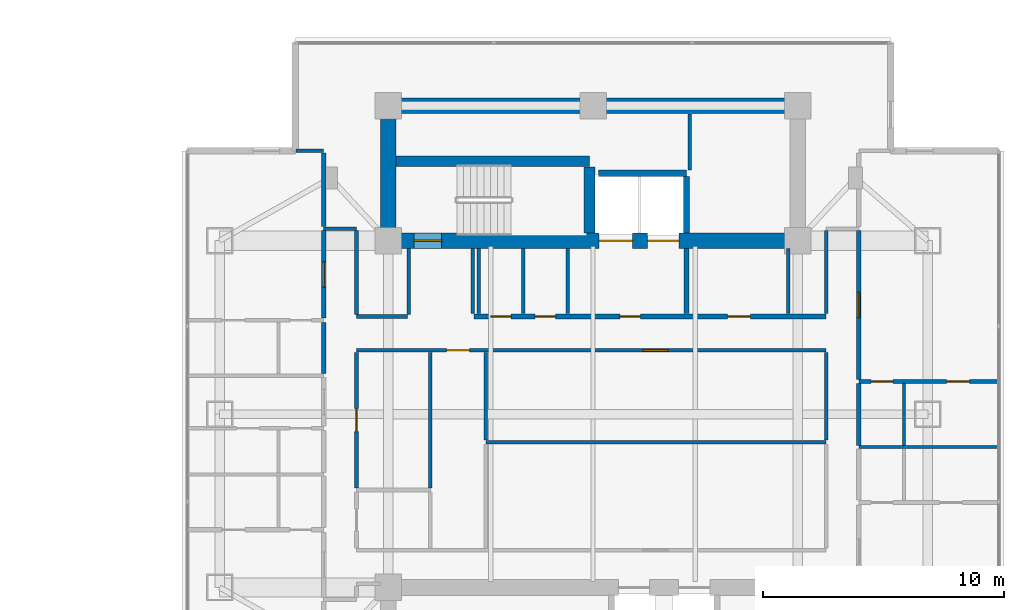
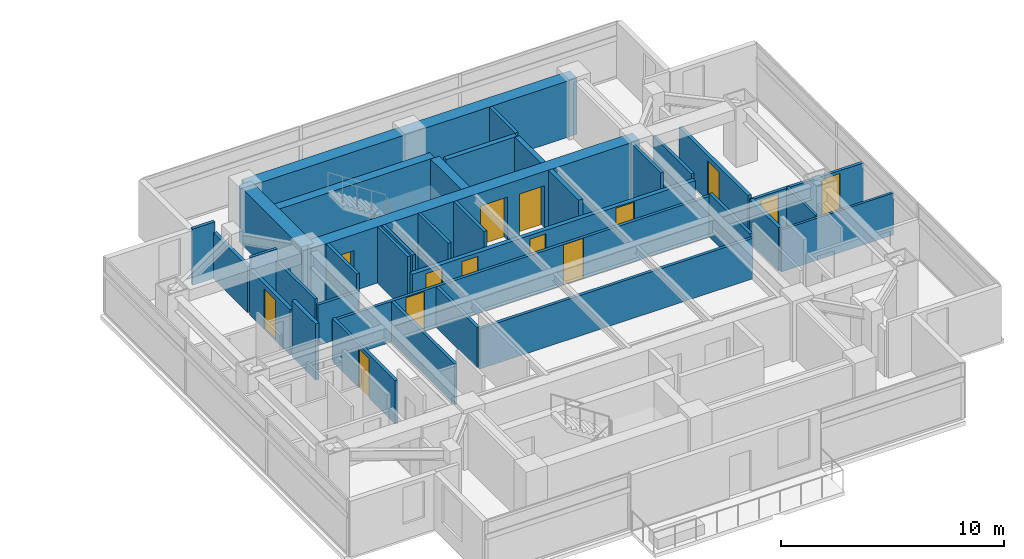
# One storey, part 18 of 24: 35 walls, 14 doors, 14 openings.
"""IFC4 building model written with IfcOpenShell, lengths in metres."""

from ifc_helpers import new_model, si_unit, direction, frame, frame_2d, origin, place, context, subcontext, project, spatial, rectangle, extrude, material, layer, layer_set, type_object, element, fill, save


model = new_model("IFC4")

# Units and contexts
model_context = context("Model", 3, precision=1e-05, world=origin(), true_north=direction((0.0, 1.0)))
body_context = subcontext(model_context, "Body", "Model", "MODEL_VIEW")
ifc_project = project(units=[si_unit("LENGTHUNIT", "METRE"), si_unit("AREAUNIT", "SQUARE_METRE"), si_unit("VOLUMEUNIT", "CUBIC_METRE"), si_unit("PLANEANGLEUNIT", "RADIAN"), si_unit("MASSUNIT", "GRAM", prefix="KILO")], contexts=[model_context])

# Site, building, storey
site_placement = place(None, origin())
site = spatial("IfcSite", under=ifc_project, at=site_placement, CompositionType="ELEMENT")
building_placement = place(site_placement, origin())
building = spatial("IfcBuilding", under=site, at=building_placement, Name="Mirazonda Arch Towers", CompositionType="ELEMENT")
storey_placement = place(building_placement, frame((0.0, 0.0, 118.10009765625)))
storey = spatial("IfcBuildingStorey", under=building, at=storey_placement, Name="L33", CompositionType="ELEMENT", Elevation=118.10009765625)

# Walls
ifc_material_1 = material(Name="Concrete C50/60", Category="concrete")
ifc_layer_1 = layer(ifc_material_1, 0.449951171875, Name="WALL-CORE-450")
ifc_layer_set_1 = layer_set([ifc_layer_1], Name="Concrete C50/60")
wall_type_1 = type_object("IfcWallType", Name="WALL-CORE-450", PredefinedType="SHEAR", material=ifc_layer_set_1)
wall_1_placement = place(storey_placement, frame((68.320068359375, 38.5, 0.0), z_axis=(0.0, 0.0, 1.0), x_axis=(1.0, 0.0, 0.0)))
element("IfcWall", 1, at=wall_1_placement, inside=storey, type_object=wall_type_1, Name="L33 Stair Core Shear Wall 055", PredefinedType="SHEAR", context=body_context, shape_type="SweptSolid", body=[
    extrude(rectangle(XDim=8.0400390625, YDim=0.449951171875, at=frame_2d((4.02001953125, 0.0))), origin(), (0.0, 0.0, 1.0), 3.079833984375),
])
wall_2_placement = place(storey_placement, frame((76.360107421875, 35.52001953125, 0.0), z_axis=(0.0, 0.0, 1.0), x_axis=(0.0, 1.0, 0.0)))
element("IfcWall", 2, at=wall_2_placement, inside=storey, type_object=wall_type_1, Name="L33 Stair Core Shear Wall 145", PredefinedType="SHEAR", context=body_context, shape_type="SweptSolid", body=[
    extrude(rectangle(XDim=2.744873046875, YDim=0.449951171875, at=frame_2d((1.37255859375, 0.0))), origin(), (0.0, 0.0, 1.0), 3.079833984375),
])
ifc_material_2 = material(Name="Concrete C60/75", Category="concrete")
ifc_layer_2 = layer(ifc_material_2, 0.64990234375, Name="WALL-CORE-650")
ifc_layer_set_2 = layer_set([ifc_layer_2], Name="Concrete C60/75")
wall_type_2 = type_object("IfcWallType", Name="WALL-CORE-650", PredefinedType="SHEAR", material=ifc_layer_set_2)
wall_3_placement = place(storey_placement, frame((68.0, 40.800048828125, 0.0), z_axis=(0.0, 0.0, 1.0), x_axis=(1.0, 0.0, 0.0)))
element("IfcWall", 3, at=wall_3_placement, inside=storey, type_object=wall_type_2, Name="L33 T2N-N Core Shear Wall", PredefinedType="SHEAR", context=body_context, shape_type="SweptSolid", body=[
    extrude(rectangle(XDim=17.0, YDim=0.64990234375, at=frame_2d((8.5, 0.0))), origin(), (0.0, 0.0, 1.0), 3.079833984375),
])
wall_4_placement = place(storey_placement, frame((68.0, 35.199951171875, 0.0), z_axis=(0.0, 0.0, 1.0), x_axis=(0.0, 1.0, 0.0)))
element("IfcWall", 4, at=wall_4_placement, inside=storey, type_object=wall_type_2, Name="L33 T2N-W Core Shear Wall", PredefinedType="SHEAR", context=body_context, shape_type="SweptSolid", body=[
    extrude(rectangle(XDim=5.60009765625, YDim=0.64990234375, at=frame_2d((2.800048828125, 0.0))), origin(), (0.0, 0.0, 1.0), 3.079833984375),
])

# Wall, openings, doors
wall_5_placement = place(storey_placement, frame((68.0, 35.199951171875, 0.0), z_axis=(0.0, 0.0, 1.0), x_axis=(1.0, 0.0, 0.0)))
wall_5 = element("IfcWall", 5, at=wall_5_placement, inside=storey, type_object=wall_type_2, Name="L33 T2N-S Core Shear Wall", PredefinedType="SHEAR", context=body_context, shape_type="SweptSolid", body=[
    extrude(rectangle(XDim=17.0, YDim=0.64990234375, at=frame_2d((8.5, 0.0))), origin(), (0.0, 0.0, 1.0), 3.079833984375),
])
opening_1_placement = place(wall_5_placement, frame((1.06005859375, 0.0, 0.0)))
opening_1 = element("IfcOpeningElement", 6, at=opening_1_placement, cuts=wall_5, Name="Opening DR-135", PredefinedType="OPENING", context=body_context, shape_type="SweptSolid", body=[
    extrude(rectangle(XDim=1.14990234375, YDim=2.199951171875, at=frame_2d((0.574951171875, 1.10009765625))), frame((0.0, 0.3349609375, 0.0), z_axis=(0.0, -1.0, 0.0), x_axis=(1.0, 0.0, 0.0)), (0.0, 0.0, 1.0), 0.669921875),
])
opening_2_placement = place(wall_5_placement, frame((8.75, 0.0, 0.0)))
opening_2 = element("IfcOpeningElement", 7, at=opening_2_placement, cuts=wall_5, Name="Opening LD-112", PredefinedType="OPENING", context=body_context, shape_type="SweptSolid", body=[
    extrude(rectangle(XDim=1.39990234375, YDim=2.35009765625, at=frame_2d((0.699951171875, 1.175048828125))), frame((0.0, 0.3349609375, 0.0), z_axis=(0.0, -1.0, 0.0), x_axis=(1.0, 0.0, 0.0)), (0.0, 0.0, 1.0), 0.669921875),
])
opening_3_placement = place(wall_5_placement, frame((10.77001953125, 0.0, 0.0)))
opening_3 = element("IfcOpeningElement", 8, at=opening_3_placement, cuts=wall_5, Name="Opening LD-111", PredefinedType="OPENING", context=body_context, shape_type="SweptSolid", body=[
    extrude(rectangle(XDim=1.300048828125, YDim=2.300048828125, at=frame_2d((0.64990234375, 1.14990234375))), frame((0.0, 0.3349609375, 0.0), z_axis=(0.0, -1.0, 0.0), x_axis=(1.0, 0.0, 0.0)), (0.0, 0.0, 1.0), 0.669921875),
])
ifc_material_3 = material(Name="Architectural Brushed Steel S355", Category="steel")
door_type_1 = type_object("IfcDoorType", Name="DOOR-LIFT-FFL-1400", OperationType="NOTDEFINED", PredefinedType="DOOR", material=ifc_material_3)
door_1_placement = place(opening_2_placement, origin())
door_1 = element("IfcDoor", 9, at=door_1_placement, inside=storey, type_object=door_type_1, Name="L33 Lift Landing Sliding Door FFL-T2", OperationType="DOUBLE_DOOR_SLIDING", OverallHeight=2.35009765625, OverallWidth=1.39990234375, PredefinedType="DOOR", context=body_context, shape_type="SweptSolid", body=[
    extrude(rectangle(XDim=1.39990234375, YDim=2.35009765625, at=frame_2d((0.699951171875, 1.175048828125))), frame((0.0, 0.02490234375, 0.0), z_axis=(0.0, -1.0, 0.0), x_axis=(1.0, 0.0, 0.0)), (0.0, 0.0, 1.0), 0.050048828125),
])
fill(opening_2, door_1)
door_type_2 = type_object("IfcDoorType", Name="DOOR-LIFT-LAND-1300", OperationType="NOTDEFINED", PredefinedType="DOOR", material=ifc_material_3)
door_2_placement = place(opening_3_placement, origin())
door_2 = element("IfcDoor", 10, at=door_2_placement, inside=storey, type_object=door_type_2, Name="L33 Lift Landing Sliding Door SVL-T2", OperationType="DOUBLE_DOOR_SLIDING", OverallHeight=2.300048828125, OverallWidth=1.300048828125, PredefinedType="DOOR", context=body_context, shape_type="SweptSolid", body=[
    extrude(rectangle(XDim=1.300048828125, YDim=2.300048828125, at=frame_2d((0.64990234375, 1.14990234375))), frame((0.0, 0.02490234375, 0.0), z_axis=(0.0, -1.0, 0.0), x_axis=(1.0, 0.0, 0.0)), (0.0, 0.0, 1.0), 0.050048828125),
])
fill(opening_3, door_2)
door_type_3 = type_object("IfcDoorType", Name="DOOR-STAIR-FD90-1150", OperationType="NOTDEFINED", PredefinedType="DOOR", material=ifc_material_3)
door_3_placement = place(opening_1_placement, origin())
door_3 = element("IfcDoor", 11, at=door_3_placement, inside=storey, type_object=door_type_3, Name="L33 East Protected Stair North Door", OperationType="SINGLE_SWING_RIGHT", OverallHeight=2.199951171875, OverallWidth=1.14990234375, PredefinedType="DOOR", context=body_context, shape_type="SweptSolid", body=[
    extrude(rectangle(XDim=1.14990234375, YDim=2.199951171875, at=frame_2d((0.574951171875, 1.10009765625))), frame((0.0, 0.02490234375, 0.0), z_axis=(0.0, -1.0, 0.0), x_axis=(1.0, 0.0, 0.0)), (0.0, 0.0, 1.0), 0.050048828125),
])
fill(opening_1, door_3)

ifc_material_4 = material(Name="Concrete C40/50", Category="concrete")
ifc_layer_3 = layer(ifc_material_4, 0.219970703125, Name="WALL-FFL-220")
ifc_layer_set_3 = layer_set([ifc_layer_3], Name="Concrete C40/50")
wall_type_3 = type_object("IfcWallType", Name="WALL-FFL-220", PredefinedType="SOLIDWALL", material=ifc_layer_set_3)
wall_6_placement = place(storey_placement, frame((71.550048828125, 32.050048828125, 0.0), z_axis=(0.0, 0.0, 1.0), x_axis=(1.0, 0.0, 0.0)))
wall_6 = element("IfcWall", 12, at=wall_6_placement, inside=storey, type_object=wall_type_3, Name="L33 Interior Partition 046", PredefinedType="SOLIDWALL", context=body_context, shape_type="SweptSolid", body=[
    extrude(rectangle(XDim=14.6298828125, YDim=0.219970703125, at=frame_2d((7.31494140625, 0.0))), origin(), (0.0, 0.0, 1.0), 2.2158203125),
])
opening_4_placement = place(wall_6_placement, frame((6.06494140625, 0.0, 0.0)))
opening_4 = element("IfcOpeningElement", 13, at=opening_4_placement, cuts=wall_6, Name="Opening DR-128", PredefinedType="OPENING", context=body_context, shape_type="SweptSolid", body=[
    extrude(rectangle(XDim=0.85009765625, YDim=2.010009765625, at=frame_2d((0.425048828125, 1.0048828125))), frame((0.0, 0.119873046875, 0.0), z_axis=(0.0, -1.0, 0.0), x_axis=(1.0, 0.0, 0.0)), (0.0, 0.0, 1.0), 0.239990234375),
])
opening_5_placement = place(wall_6_placement, frame((10.534912109375, 0.0, 0.0)))
opening_5 = element("IfcOpeningElement", 14, at=opening_5_placement, cuts=wall_6, Name="Opening DR-104", PredefinedType="OPENING", context=body_context, shape_type="SweptSolid", body=[
    extrude(rectangle(XDim=0.949951171875, YDim=2.14990234375, at=frame_2d((0.47509765625, 1.074951171875))), frame((0.0, 0.119873046875, 0.0), z_axis=(0.0, -1.0, 0.0), x_axis=(1.0, 0.0, 0.0)), (0.0, 0.0, 1.0), 0.239990234375),
])
opening_6_placement = place(wall_6_placement, frame((0.699951171875, 0.0, 0.0)))
opening_6 = element("IfcOpeningElement", 15, at=opening_6_placement, cuts=wall_6, Name="Opening DR-128", PredefinedType="OPENING", context=body_context, shape_type="SweptSolid", body=[
    extrude(rectangle(XDim=0.85009765625, YDim=2.010009765625, at=frame_2d((0.425048828125, 1.0048828125))), frame((0.0, 0.119873046875, 0.0), z_axis=(0.0, -1.0, 0.0), x_axis=(1.0, 0.0, 0.0)), (0.0, 0.0, 1.0), 0.239990234375),
])
opening_7_placement = place(wall_6_placement, frame((2.550048828125, 0.0, 0.0)))
opening_7 = element("IfcOpeningElement", 16, at=opening_7_placement, cuts=wall_6, Name="Opening DR-128", PredefinedType="OPENING", context=body_context, shape_type="SweptSolid", body=[
    extrude(rectangle(XDim=0.85009765625, YDim=2.010009765625, at=frame_2d((0.425048828125, 1.0048828125))), frame((0.0, 0.119873046875, 0.0), z_axis=(0.0, -1.0, 0.0), x_axis=(1.0, 0.0, 0.0)), (0.0, 0.0, 1.0), 0.239990234375),
])
door_type_4 = type_object("IfcDoorType", Name="DOOR-RISER-FD60-850", OperationType="NOTDEFINED", PredefinedType="DOOR", material=ifc_material_3)
door_4_placement = place(opening_4_placement, origin())
door_4 = element("IfcDoor", 17, at=door_4_placement, inside=storey, type_object=door_type_4, Name="L33 East Firefighting Lift Lobby Door", OperationType="SINGLE_SWING_LEFT", OverallHeight=2.010009765625, OverallWidth=0.85009765625, PredefinedType="DOOR", context=body_context, shape_type="SweptSolid", body=[
    extrude(rectangle(XDim=0.85009765625, YDim=2.010009765625, at=frame_2d((0.425048828125, 1.0048828125))), frame((0.0, 0.02490234375, 0.0), z_axis=(0.0, -1.0, 0.0), x_axis=(1.0, 0.0, 0.0)), (0.0, 0.0, 1.0), 0.050048828125),
])
fill(opening_4, door_4)
door_5_placement = place(opening_6_placement, origin())
door_5 = element("IfcDoor", 18, at=door_5_placement, inside=storey, type_object=door_type_4, Name="L33 Tower 2 Electrical Room Door", OperationType="SINGLE_SWING_LEFT", OverallHeight=2.010009765625, OverallWidth=0.85009765625, PredefinedType="DOOR", context=body_context, shape_type="SweptSolid", body=[
    extrude(rectangle(XDim=0.85009765625, YDim=2.010009765625, at=frame_2d((0.425048828125, 1.0048828125))), frame((0.0, 0.02490234375, 0.0), z_axis=(0.0, -1.0, 0.0), x_axis=(1.0, 0.0, 0.0)), (0.0, 0.0, 1.0), 0.050048828125),
])
fill(opening_6, door_5)
door_6_placement = place(opening_7_placement, origin())
door_6 = element("IfcDoor", 19, at=door_6_placement, inside=storey, type_object=door_type_4, Name="L33 Tower 2 Cleaners Store Door", OperationType="SINGLE_SWING_RIGHT", OverallHeight=2.010009765625, OverallWidth=0.85009765625, PredefinedType="DOOR", context=body_context, shape_type="SweptSolid", body=[
    extrude(rectangle(XDim=0.85009765625, YDim=2.010009765625, at=frame_2d((0.425048828125, 1.0048828125))), frame((0.0, 0.02490234375, 0.0), z_axis=(0.0, -1.0, 0.0), x_axis=(1.0, 0.0, 0.0)), (0.0, 0.0, 1.0), 0.050048828125),
])
fill(opening_7, door_6)
door_type_5 = type_object("IfcDoorType", Name="DOOR-ROOM-950", OperationType="NOTDEFINED", PredefinedType="DOOR", material=ifc_material_3)
door_7_placement = place(opening_5_placement, origin())
door_7 = element("IfcDoor", 20, at=door_7_placement, inside=storey, type_object=door_type_5, Name="L33 East Sky Reading Library Door", OperationType="SINGLE_SWING_RIGHT", OverallHeight=2.14990234375, OverallWidth=0.949951171875, PredefinedType="DOOR", context=body_context, shape_type="SweptSolid", body=[
    extrude(rectangle(XDim=0.949951171875, YDim=2.14990234375, at=frame_2d((0.47509765625, 1.074951171875))), frame((0.0, 0.02490234375, 0.0), z_axis=(0.0, -1.0, 0.0), x_axis=(1.0, 0.0, 0.0)), (0.0, 0.0, 1.0), 0.050048828125),
])
fill(opening_5, door_7)

# Walls
wall_7_placement = place(storey_placement, frame((80.3798828125, 32.169921875, 0.0), z_axis=(0.0, 0.0, 1.0), x_axis=(0.0, 1.0, 0.0)))
element("IfcWall", 21, at=wall_7_placement, inside=storey, type_object=wall_type_3, Name="L33 Interior Partition 147", PredefinedType="SOLIDWALL", context=body_context, shape_type="SweptSolid", body=[
    extrude(rectangle(XDim=2.7099609375, YDim=0.219970703125, at=frame_2d((1.35498046875, 0.0))), origin(), (0.0, 0.0, 1.0), 3.079833984375),
])
ifc_material_5 = material(Name="Fire-Rated Gypsum Stud Partition")
ifc_layer_4 = layer(ifc_material_5, 0.14990234375, Name="WALL-PART-CORR-150")
ifc_layer_set_4 = layer_set([ifc_layer_4], Name="Fire-Rated Gypsum Stud Partition")
wall_type_4 = type_object("IfcWallType", Name="WALL-PART-CORR-150", PredefinedType="PARTITIONING", material=ifc_layer_set_4)
wall_8_placement = place(storey_placement, frame((72.050048828125, 26.83203125, 0.0), z_axis=(0.0, 0.0, 1.0), x_axis=(1.0, 0.0, 0.0)))
element("IfcWall", 22, at=wall_8_placement, inside=storey, type_object=wall_type_4, Name="L33 Interior Partition 034", PredefinedType="PARTITIONING", context=body_context, shape_type="SweptSolid", body=[
    extrude(rectangle(XDim=14.1298828125, YDim=0.14990234375, at=frame_2d((7.06494140625, 0.0))), origin(), (0.0, 0.0, 1.0), 2.2158203125),
])

# Wall, openings, doors
wall_9_placement = place(storey_placement, frame((87.5400390625, 29.35205078125, 0.0), z_axis=(0.0, 0.0, 1.0), x_axis=(1.0, 0.0, 0.0)))
wall_9 = element("IfcWall", 23, at=wall_9_placement, inside=storey, type_object=wall_type_4, Name="L33 Interior Partition 039", PredefinedType="PARTITIONING", context=body_context, shape_type="SweptSolid", body=[
    extrude(rectangle(XDim=5.804931640625, YDim=0.14990234375, at=frame_2d((2.90234375, 0.0))), origin(), (0.0, 0.0, 1.0), 2.298828125),
])
opening_8_placement = place(wall_9_placement, frame((3.6474609375, 0.0, 0.0)))
opening_8 = element("IfcOpeningElement", 24, at=opening_8_placement, cuts=wall_9, Name="Opening DR-104", PredefinedType="OPENING", context=body_context, shape_type="SweptSolid", body=[
    extrude(rectangle(XDim=0.949951171875, YDim=2.14990234375, at=frame_2d((0.47509765625, 1.074951171875))), frame((0.0, 0.0849609375, 0.0), z_axis=(0.0, -1.0, 0.0), x_axis=(1.0, 0.0, 0.0)), (0.0, 0.0, 1.0), 0.169921875),
])
opening_9_placement = place(wall_9_placement, frame((0.510009765625, 0.0, 0.0)))
opening_9 = element("IfcOpeningElement", 25, at=opening_9_placement, cuts=wall_9, Name="Opening DR-120", PredefinedType="OPENING", context=body_context, shape_type="SweptSolid", body=[
    extrude(rectangle(XDim=0.89990234375, YDim=2.10009765625, at=frame_2d((0.449951171875, 1.050048828125))), frame((0.0, 0.0849609375, 0.0), z_axis=(0.0, -1.0, 0.0), x_axis=(1.0, 0.0, 0.0)), (0.0, 0.0, 1.0), 0.169921875),
])
door_8_placement = place(opening_8_placement, origin())
door_8 = element("IfcDoor", 26, at=door_8_placement, inside=storey, type_object=door_type_5, Name="L33 Studio 2 Galley Kitchen Door", OperationType="SINGLE_SWING_RIGHT", OverallHeight=2.14990234375, OverallWidth=0.949951171875, PredefinedType="DOOR", context=body_context, shape_type="SweptSolid", body=[
    extrude(rectangle(XDim=0.949951171875, YDim=2.14990234375, at=frame_2d((0.47509765625, 1.074951171875))), frame((0.0, 0.02490234375, 0.0), z_axis=(0.0, -1.0, 0.0), x_axis=(1.0, 0.0, 0.0)), (0.0, 0.0, 1.0), 0.050048828125),
])
fill(opening_8, door_8)
door_type_6 = type_object("IfcDoorType", Name="DOOR-WC-900", OperationType="NOTDEFINED", PredefinedType="DOOR", material=ifc_material_3)
door_9_placement = place(opening_9_placement, origin())
door_9 = element("IfcDoor", 27, at=door_9_placement, inside=storey, type_object=door_type_6, Name="L33 Studio 2 Bathroom Door", OperationType="SINGLE_SWING_LEFT", OverallHeight=2.10009765625, OverallWidth=0.89990234375, PredefinedType="DOOR", context=body_context, shape_type="SweptSolid", body=[
    extrude(rectangle(XDim=0.89990234375, YDim=2.10009765625, at=frame_2d((0.449951171875, 1.050048828125))), frame((0.0, 0.02490234375, 0.0), z_axis=(0.0, -1.0, 0.0), x_axis=(1.0, 0.0, 0.0)), (0.0, 0.0, 1.0), 0.050048828125),
])
fill(opening_9, door_9)

wall_10_placement = place(storey_placement, frame((66.679931640625, 30.64990234375, 0.0), z_axis=(0.0, 0.0, 1.0), x_axis=(1.0, 0.0, 0.0)))
wall_10 = element("IfcWall", 28, at=wall_10_placement, inside=storey, type_object=wall_type_4, Name="L33 Interior Partition 043", PredefinedType="PARTITIONING", context=body_context, shape_type="SweptSolid", body=[
    extrude(rectangle(XDim=19.5, YDim=0.14990234375, at=frame_2d((9.75, 0.0))), origin(), (0.0, 0.0, 1.0), 2.2158203125),
])
opening_10_placement = place(wall_10_placement, frame((3.7451171875, 0.0, 0.0)))
opening_10 = element("IfcOpeningElement", 29, at=opening_10_placement, cuts=wall_10, Name="Opening DR-104", PredefinedType="OPENING", context=body_context, shape_type="SweptSolid", body=[
    extrude(rectangle(XDim=0.949951171875, YDim=2.14990234375, at=frame_2d((0.47509765625, 1.074951171875))), frame((0.0, 0.0849609375, 0.0), z_axis=(0.0, -1.0, 0.0), x_axis=(1.0, 0.0, 0.0)), (0.0, 0.0, 1.0), 0.169921875),
])
opening_11_placement = place(wall_10_placement, frame((11.889892578125, 0.0, 0.0)))
opening_11 = element("IfcOpeningElement", 30, at=opening_11_placement, cuts=wall_10, Name="Opening DR-121", PredefinedType="OPENING", context=body_context, shape_type="SweptSolid", body=[
    extrude(rectangle(XDim=1.050048828125, YDim=2.199951171875, at=frame_2d((0.52490234375, 1.10009765625))), frame((0.0, 0.0849609375, 0.0), z_axis=(0.0, -1.0, 0.0), x_axis=(1.0, 0.0, 0.0)), (0.0, 0.0, 1.0), 0.169921875),
])
door_10_placement = place(opening_10_placement, origin())
door_10 = element("IfcDoor", 31, at=door_10_placement, inside=storey, type_object=door_type_5, Name="L33 L33 East Courtyard Study Door", OperationType="SINGLE_SWING_LEFT", OverallHeight=2.14990234375, OverallWidth=0.949951171875, PredefinedType="DOOR", context=body_context, shape_type="SweptSolid", body=[
    extrude(rectangle(XDim=0.949951171875, YDim=2.14990234375, at=frame_2d((0.47509765625, 1.074951171875))), frame((0.0, 0.02490234375, 0.0), z_axis=(0.0, -1.0, 0.0), x_axis=(1.0, 0.0, 0.0)), (0.0, 0.0, 1.0), 0.050048828125),
])
fill(opening_10, door_10)
door_type_7 = type_object("IfcDoorType", Name="DOOR-SUITE-FD60-1050", OperationType="NOTDEFINED", PredefinedType="DOOR", material=ifc_material_3)
door_11_placement = place(opening_11_placement, origin())
door_11 = element("IfcDoor", 32, at=door_11_placement, inside=storey, type_object=door_type_7, Name="L33 Private Dining Room Door", OperationType="SINGLE_SWING_LEFT", OverallHeight=2.199951171875, OverallWidth=1.050048828125, PredefinedType="DOOR", context=body_context, shape_type="SweptSolid", body=[
    extrude(rectangle(XDim=1.050048828125, YDim=2.199951171875, at=frame_2d((0.52490234375, 1.10009765625))), frame((0.0, 0.02490234375, 0.0), z_axis=(0.0, -1.0, 0.0), x_axis=(1.0, 0.0, 0.0)), (0.0, 0.0, 1.0), 0.050048828125),
])
fill(opening_11, door_11)

# Walls
wall_11_placement = place(storey_placement, frame((66.679931640625, 32.050048828125, 0.0), z_axis=(0.0, 0.0, 1.0), x_axis=(1.0, 0.0, 0.0)))
element("IfcWall", 33, at=wall_11_placement, inside=storey, type_object=wall_type_4, Name="L33 Interior Partition 045", PredefinedType="PARTITIONING", context=body_context, shape_type="SweptSolid", body=[
    extrude(rectangle(XDim=2.1201171875, YDim=0.14990234375, at=frame_2d((1.06005859375, 0.0))), origin(), (0.0, 0.0, 1.0), 2.2158203125),
])
wall_12_placement = place(storey_placement, frame((65.320068359375, 35.699951171875, 0.0), z_axis=(0.0, 0.0, 1.0), x_axis=(1.0, 0.0, 0.0)))
element("IfcWall", 34, at=wall_12_placement, inside=storey, type_object=wall_type_4, Name="L33 Interior Partition 052", PredefinedType="PARTITIONING", context=body_context, shape_type="SweptSolid", body=[
    extrude(rectangle(XDim=1.35986328125, YDim=0.14990234375, at=frame_2d((0.679931640625, 0.0))), origin(), (0.0, 0.0, 1.0), 3.079833984375),
])
wall_13_placement = place(storey_placement, frame((64.16162109375, 38.93310546875, 0.0), z_axis=(0.0, 0.0, 1.0), x_axis=(1.0, 0.0, 0.0)))
element("IfcWall", 35, at=wall_13_placement, inside=storey, type_object=wall_type_4, Name="L33 Interior Partition 056", PredefinedType="PARTITIONING", context=body_context, shape_type="SweptSolid", body=[
    extrude(rectangle(XDim=1.158447265625, YDim=0.14990234375, at=frame_2d((0.5791015625, 0.0))), origin(), (0.0, 0.0, 1.0), 3.079833984375),
])

# Wall, opening, door
wall_14_placement = place(storey_placement, frame((66.679931640625, 24.93505859375, 0.0), z_axis=(0.0, 0.0, 1.0), x_axis=(0.0, 1.0, 0.0)))
wall_14 = element("IfcWall", 36, at=wall_14_placement, inside=storey, type_object=wall_type_4, Name="L33 Interior Partition 133", PredefinedType="PARTITIONING", context=body_context, shape_type="SweptSolid", body=[
    extrude(rectangle(XDim=5.6298828125, YDim=0.14990234375, at=frame_2d((2.81494140625, 0.0))), origin(), (0.0, 0.0, 1.0), 2.3759765625),
])
opening_12_placement = place(wall_14_placement, frame((2.340087890625, 0.0, 0.0)))
opening_12 = element("IfcOpeningElement", 37, at=opening_12_placement, cuts=wall_14, Name="Opening DR-104", PredefinedType="OPENING", context=body_context, shape_type="SweptSolid", body=[
    extrude(rectangle(XDim=0.949951171875, YDim=2.14990234375, at=frame_2d((0.47509765625, 1.074951171875))), frame((0.0, 0.0849609375, 0.0), z_axis=(0.0, -1.0, 0.0), x_axis=(1.0, 0.0, 0.0)), (0.0, 0.0, 1.0), 0.169921875),
])
door_12_placement = place(opening_12_placement, origin())
door_12 = element("IfcDoor", 38, at=door_12_placement, inside=storey, type_object=door_type_5, Name="L33 L33 East Courtyard Reading Study Door", OperationType="SINGLE_SWING_RIGHT", OverallHeight=2.14990234375, OverallWidth=0.949951171875, PredefinedType="DOOR", context=body_context, shape_type="SweptSolid", body=[
    extrude(rectangle(XDim=0.949951171875, YDim=2.14990234375, at=frame_2d((0.47509765625, 1.074951171875))), frame((0.0, 0.02490234375, 0.0), z_axis=(0.0, -1.0, 0.0), x_axis=(1.0, 0.0, 0.0)), (0.0, 0.0, 1.0), 0.050048828125),
])
fill(opening_12, door_12)

# Walls
wall_15_placement = place(storey_placement, frame((66.679931640625, 32.135009765625, 0.0), z_axis=(0.0, 0.0, 1.0), x_axis=(0.0, 1.0, 0.0)))
element("IfcWall", 39, at=wall_15_placement, inside=storey, type_object=wall_type_4, Name="L33 Interior Partition 134", PredefinedType="PARTITIONING", context=body_context, shape_type="SweptSolid", body=[
    extrude(rectangle(XDim=3.47998046875, YDim=0.14990234375, at=frame_2d((1.739990234375, 0.0))), origin(), (0.0, 0.0, 1.0), 2.471923828125),
])
wall_16_placement = place(storey_placement, frame((68.85009765625, 32.135009765625, 0.0), z_axis=(0.0, 0.0, 1.0), x_axis=(0.0, 1.0, 0.0)))
element("IfcWall", 40, at=wall_16_placement, inside=storey, type_object=wall_type_4, Name="L33 Interior Partition 135", PredefinedType="PARTITIONING", context=body_context, shape_type="SweptSolid", body=[
    extrude(rectangle(XDim=2.744873046875, YDim=0.14990234375, at=frame_2d((1.37255859375, 0.0))), origin(), (0.0, 0.0, 1.0), 3.079833984375),
])
wall_17_placement = place(storey_placement, frame((69.743408203125, 24.93505859375, 0.0), z_axis=(0.0, 0.0, 1.0), x_axis=(0.0, 1.0, 0.0)))
element("IfcWall", 41, at=wall_17_placement, inside=storey, type_object=wall_type_4, Name="L33 Interior Partition 137", PredefinedType="PARTITIONING", context=body_context, shape_type="SweptSolid", body=[
    extrude(rectangle(XDim=5.6298828125, YDim=0.14990234375, at=frame_2d((2.81494140625, 0.0))), origin(), (0.0, 0.0, 1.0), 2.2158203125),
])
for number, where, z_axis, x_axis, name in (
    (42, (71.5, 32.169921875, 0.0), (0.0, 0.0, 1.0), (0.0, 1.0, 0.0), "L33 Interior Partition 138"),
    (43, (71.75, 32.169921875, 0.0), (0.0, 0.0, 1.0), (0.0, 1.0, 0.0), "L33 Interior Partition 139"),
):
    element("IfcWall", number, at=place(storey_placement, frame(where, z_axis=z_axis, x_axis=x_axis)), inside=storey, type_object=wall_type_4, Name=name, PredefinedType="PARTITIONING", context=body_context, shape_type="SweptSolid", body=[
        extrude(rectangle(XDim=2.7099609375, YDim=0.14990234375, at=frame_2d((1.35498046875, 0.0))), origin(), (0.0, 0.0, 1.0), 3.079833984375),
    ])
wall_18_placement = place(storey_placement, frame((72.050048828125, 26.9169921875, 0.0), z_axis=(0.0, 0.0, 1.0), x_axis=(0.0, 1.0, 0.0)))
element("IfcWall", 44, at=wall_18_placement, inside=storey, type_object=wall_type_4, Name="L33 Interior Partition 141", PredefinedType="PARTITIONING", context=body_context, shape_type="SweptSolid", body=[
    extrude(rectangle(XDim=3.64794921875, YDim=0.14990234375, at=frame_2d((1.823974609375, 0.0))), origin(), (0.0, 0.0, 1.0), 2.2158203125),
])
for number, where, z_axis, x_axis, name in (
    (45, (73.60009765625, 32.169921875, 0.0), (0.0, 0.0, 1.0), (0.0, 1.0, 0.0), "L33 Interior Partition 142"),
    (46, (75.449951171875, 32.169921875, 0.0), (0.0, 0.0, 1.0), (0.0, 1.0, 0.0), "L33 Interior Partition 143"),
):
    element("IfcWall", number, at=place(storey_placement, frame(where, z_axis=z_axis, x_axis=x_axis)), inside=storey, type_object=wall_type_4, Name=name, PredefinedType="PARTITIONING", context=body_context, shape_type="SweptSolid", body=[
        extrude(rectangle(XDim=2.7099609375, YDim=0.14990234375, at=frame_2d((1.35498046875, 0.0))), origin(), (0.0, 0.0, 1.0), 3.079833984375),
    ])
wall_19_placement = place(storey_placement, frame((80.52001953125, 38.135009765625, 0.0), z_axis=(0.0, 0.0, 1.0), x_axis=(0.0, 1.0, 0.0)))
element("IfcWall", 47, at=wall_19_placement, inside=storey, type_object=wall_type_4, Name="L33 Interior Partition 149", PredefinedType="PARTITIONING", context=body_context, shape_type="SweptSolid", body=[
    extrude(rectangle(XDim=2.31494140625, YDim=0.14990234375, at=frame_2d((1.157470703125, 0.0))), origin(), (0.0, 0.0, 1.0), 3.079833984375),
])
wall_20_placement = place(storey_placement, frame((84.60009765625, 32.169921875, 0.0), z_axis=(0.0, 0.0, 1.0), x_axis=(0.0, 1.0, 0.0)))
element("IfcWall", 48, at=wall_20_placement, inside=storey, type_object=wall_type_4, Name="L33 Interior Partition 151", PredefinedType="PARTITIONING", context=body_context, shape_type="SweptSolid", body=[
    extrude(rectangle(XDim=2.7099609375, YDim=0.14990234375, at=frame_2d((1.35498046875, 0.0))), origin(), (0.0, 0.0, 1.0), 3.079833984375),
])
wall_21_placement = place(storey_placement, frame((86.179931640625, 26.9169921875, 0.0), z_axis=(0.0, 0.0, 1.0), x_axis=(0.0, 1.0, 0.0)))
element("IfcWall", 49, at=wall_21_placement, inside=storey, type_object=wall_type_4, Name="L33 Interior Partition 154", PredefinedType="PARTITIONING", context=body_context, shape_type="SweptSolid", body=[
    extrude(rectangle(XDim=3.64794921875, YDim=0.14990234375, at=frame_2d((1.823974609375, 0.0))), origin(), (0.0, 0.0, 1.0), 2.3759765625),
])
wall_22_placement = place(storey_placement, frame((86.179931640625, 32.169921875, 0.0), z_axis=(0.0, 0.0, 1.0), x_axis=(0.0, 1.0, 0.0)))
element("IfcWall", 50, at=wall_22_placement, inside=storey, type_object=wall_type_4, Name="L33 Interior Partition 155", PredefinedType="PARTITIONING", context=body_context, shape_type="SweptSolid", body=[
    extrude(rectangle(XDim=3.445068359375, YDim=0.14990234375, at=frame_2d((1.72265625, 0.0))), origin(), (0.0, 0.0, 1.0), 2.471923828125),
])
ifc_material_6 = material(Name="Fire-Rated Gypsum Twin-Stud Assembly")
ifc_layer_5 = layer(ifc_material_6, 0.179931640625, Name="WALL-PART-DEMISE-180")
ifc_layer_set_5 = layer_set([ifc_layer_5], Name="Fire-Rated Gypsum Twin-Stud Assembly")
wall_type_5 = type_object("IfcWallType", Name="WALL-PART-DEMISE-180", PredefinedType="PARTITIONING", material=ifc_layer_set_5)
wall_23_placement = place(storey_placement, frame((65.320068359375, 29.680908203125, 0.0), z_axis=(0.0, 0.0, 1.0), x_axis=(0.0, 1.0, 0.0)))
element("IfcWall", 51, at=wall_23_placement, inside=storey, type_object=wall_type_5, Name="L33 Interior Partition 128", PredefinedType="PARTITIONING", context=body_context, shape_type="SweptSolid", body=[
    extrude(rectangle(XDim=2.130126953125, YDim=0.179931640625, at=frame_2d((1.06494140625, 0.0))), origin(), (0.0, 0.0, 1.0), 3.079833984375),
])

# Wall, opening, door
wall_24_placement = place(storey_placement, frame((65.320068359375, 31.98095703125, 0.0), z_axis=(0.0, 0.0, 1.0), x_axis=(0.0, 1.0, 0.0)))
wall_24 = element("IfcWall", 52, at=wall_24_placement, inside=storey, type_object=wall_type_5, Name="L33 Interior Partition 129", PredefinedType="PARTITIONING", context=body_context, shape_type="SweptSolid", body=[
    extrude(rectangle(XDim=3.634033203125, YDim=0.179931640625, at=frame_2d((1.81689453125, 0.0))), origin(), (0.0, 0.0, 1.0), 2.471923828125),
])
opening_13_placement = place(wall_24_placement, frame((1.2919921875, 0.0, 0.0)))
opening_13 = element("IfcOpeningElement", 53, at=opening_13_placement, cuts=wall_24, Name="Opening DR-121", PredefinedType="OPENING", context=body_context, shape_type="SweptSolid", body=[
    extrude(rectangle(XDim=1.050048828125, YDim=2.199951171875, at=frame_2d((0.52490234375, 1.10009765625))), frame((0.0, 0.099853515625, 0.0), z_axis=(0.0, -1.0, 0.0), x_axis=(1.0, 0.0, 0.0)), (0.0, 0.0, 1.0), 0.199951171875),
])
door_13_placement = place(opening_13_placement, origin())
door_13 = element("IfcDoor", 54, at=door_13_placement, inside=storey, type_object=door_type_7, Name="L33 Studio Apartment 3 Living Salon Door", OperationType="SINGLE_SWING_LEFT", OverallHeight=2.199951171875, OverallWidth=1.050048828125, PredefinedType="DOOR", context=body_context, shape_type="SweptSolid", body=[
    extrude(rectangle(XDim=1.050048828125, YDim=2.199951171875, at=frame_2d((0.52490234375, 1.10009765625))), frame((0.0, 0.02490234375, 0.0), z_axis=(0.0, -1.0, 0.0), x_axis=(1.0, 0.0, 0.0)), (0.0, 0.0, 1.0), 0.050048828125),
])
fill(opening_13, door_13)

# Walls
wall_25_placement = place(storey_placement, frame((65.320068359375, 35.784912109375, 0.0), z_axis=(0.0, 0.0, 1.0), x_axis=(0.0, 1.0, 0.0)))
element("IfcWall", 55, at=wall_25_placement, inside=storey, type_object=wall_type_5, Name="L33 Interior Partition 130", PredefinedType="PARTITIONING", context=body_context, shape_type="SweptSolid", body=[
    extrude(rectangle(XDim=3.06298828125, YDim=0.179931640625, at=frame_2d((1.531494140625, 0.0))), origin(), (0.0, 0.0, 1.0), 2.52294921875),
])
wall_26_placement = place(storey_placement, frame((87.5400390625, 26.70458984375, 0.0), z_axis=(0.0, 0.0, 1.0), x_axis=(0.0, 1.0, 0.0)))
element("IfcWall", 56, at=wall_26_placement, inside=storey, type_object=wall_type_5, Name="L33 Interior Partition 159", PredefinedType="PARTITIONING", context=body_context, shape_type="SweptSolid", body=[
    extrude(rectangle(XDim=2.5625, YDim=0.179931640625, at=frame_2d((1.28125, 0.0))), origin(), (0.0, 0.0, 1.0), 2.3759765625),
])

# Wall, opening, door
wall_27_placement = place(storey_placement, frame((87.5400390625, 29.43701171875, 0.0), z_axis=(0.0, 0.0, 1.0), x_axis=(0.0, 1.0, 0.0)))
wall_27 = element("IfcWall", 57, at=wall_27_placement, inside=storey, type_object=wall_type_5, Name="L33 Interior Partition 160", PredefinedType="PARTITIONING", context=body_context, shape_type="SweptSolid", body=[
    extrude(rectangle(XDim=6.177978515625, YDim=0.179931640625, at=frame_2d((3.0888671875, 0.0))), origin(), (0.0, 0.0, 1.0), 2.471923828125),
])
opening_14_placement = place(wall_27_placement, frame((2.56396484375, 0.0, 0.0)))
opening_14 = element("IfcOpeningElement", 58, at=opening_14_placement, cuts=wall_27, Name="Opening DR-121", PredefinedType="OPENING", context=body_context, shape_type="SweptSolid", body=[
    extrude(rectangle(XDim=1.050048828125, YDim=2.199951171875, at=frame_2d((0.52490234375, 1.10009765625))), frame((0.0, 0.099853515625, 0.0), z_axis=(0.0, -1.0, 0.0), x_axis=(1.0, 0.0, 0.0)), (0.0, 0.0, 1.0), 0.199951171875),
])
door_14_placement = place(opening_14_placement, origin())
door_14 = element("IfcDoor", 59, at=door_14_placement, inside=storey, type_object=door_type_7, Name="L33 Studio Apartment 2 Living Salon Door", OperationType="SINGLE_SWING_LEFT", OverallHeight=2.199951171875, OverallWidth=1.050048828125, PredefinedType="DOOR", context=body_context, shape_type="SweptSolid", body=[
    extrude(rectangle(XDim=1.050048828125, YDim=2.199951171875, at=frame_2d((0.52490234375, 1.10009765625))), frame((0.0, 0.02490234375, 0.0), z_axis=(0.0, -1.0, 0.0), x_axis=(1.0, 0.0, 0.0)), (0.0, 0.0, 1.0), 0.050048828125),
])
fill(opening_14, door_14)

# Walls
ifc_material_7 = material(Name="Acoustic Fire-Rated Gypsum Partition")
ifc_layer_6 = layer(ifc_material_7, 0.125, Name="WALL-PART-UNIT-125")
ifc_layer_set_6 = layer_set([ifc_layer_6], Name="Acoustic Fire-Rated Gypsum Partition")
wall_type_6 = type_object("IfcWallType", Name="WALL-PART-UNIT-125", PredefinedType="PARTITIONING", material=ifc_layer_set_6)
wall_28_placement = place(storey_placement, frame((87.5400390625, 26.632080078125, 0.0), z_axis=(0.0, 0.0, 1.0), x_axis=(1.0, 0.0, 0.0)))
element("IfcWall", 60, at=wall_28_placement, inside=storey, type_object=wall_type_6, Name="L33 Interior Partition 032", PredefinedType="PARTITIONING", context=body_context, shape_type="SweptSolid", body=[
    extrude(rectangle(XDim=5.804931640625, YDim=0.125, at=frame_2d((2.90234375, 0.0))), origin(), (0.0, 0.0, 1.0), 2.298828125),
])
wall_29_placement = place(storey_placement, frame((89.419921875, 26.70458984375, 0.0), z_axis=(0.0, 0.0, 1.0), x_axis=(0.0, 1.0, 0.0)))
element("IfcWall", 61, at=wall_29_placement, inside=storey, type_object=wall_type_6, Name="L33 Interior Partition 163", PredefinedType="PARTITIONING", context=body_context, shape_type="SweptSolid", body=[
    extrude(rectangle(XDim=2.5625, YDim=0.125, at=frame_2d((1.28125, 0.0))), origin(), (0.0, 0.0, 1.0), 2.3759765625),
])
ifc_layer_7 = layer(ifc_material_4, 0.25, Name="WALL-SHAFT-250")
ifc_layer_set_7 = layer_set([ifc_layer_7], Name="Concrete C40/50")
wall_type_7 = type_object("IfcWallType", Name="WALL-SHAFT-250", PredefinedType="SOLIDWALL", material=ifc_layer_set_7)
wall_30_placement = place(storey_placement, frame((76.719970703125, 38.0, 0.0), z_axis=(0.0, 0.0, 1.0), x_axis=(1.0, 0.0, 0.0)))
element("IfcWall", 62, at=wall_30_placement, inside=storey, type_object=wall_type_7, Name="L33 Interior Partition 054", PredefinedType="SOLIDWALL", context=body_context, shape_type="SweptSolid", body=[
    extrude(rectangle(XDim=3.659912109375, YDim=0.25, at=frame_2d((1.830078125, 0.0))), origin(), (0.0, 0.0, 1.0), 3.079833984375),
])
wall_31_placement = place(storey_placement, frame((80.3798828125, 35.52001953125, 0.0), z_axis=(0.0, 0.0, 1.0), x_axis=(0.0, 1.0, 0.0)))
element("IfcWall", 63, at=wall_31_placement, inside=storey, type_object=wall_type_7, Name="L33 Interior Partition 148", PredefinedType="SOLIDWALL", context=body_context, shape_type="SweptSolid", body=[
    extrude(rectangle(XDim=2.344970703125, YDim=0.25, at=frame_2d((1.17236328125, 0.0))), origin(), (0.0, 0.0, 1.0), 3.079833984375),
])

save(model, "model.ifc")
